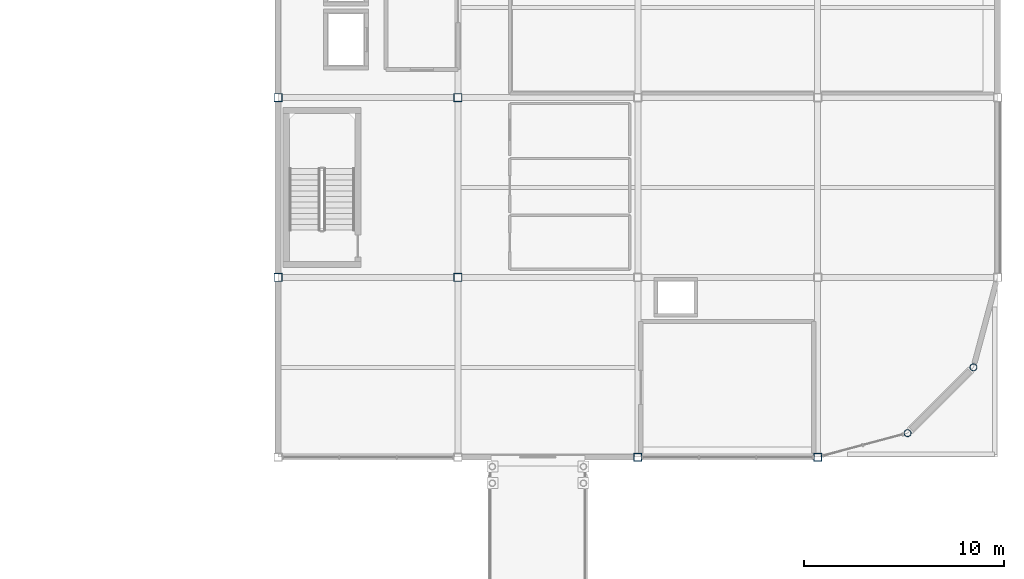
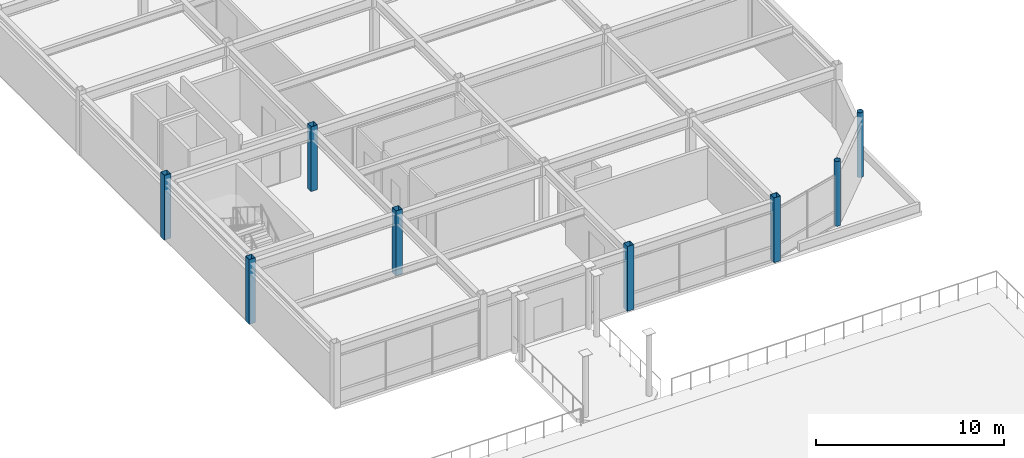
# One storey, part 12 of 53: 8 columns.
"""IFC4 building model written with IfcOpenShell, lengths in metres."""

from ifc_helpers import new_model, si_unit, direction, frame, origin, origin_2d, place, context, subcontext, project, spatial, hollow_rectangle, hollow_circle, extrude, material, material_profile, profile_set, type_object, element, save


model = new_model("IFC4")

# Units and contexts
model_context = context("Model", 3, precision=1e-05, world=origin(), true_north=direction((0.0, 1.0)))
body_context = subcontext(model_context, "Body", "Model", "MODEL_VIEW")
ifc_project = project(units=[si_unit("LENGTHUNIT", "METRE"), si_unit("AREAUNIT", "SQUARE_METRE"), si_unit("VOLUMEUNIT", "CUBIC_METRE"), si_unit("PLANEANGLEUNIT", "RADIAN"), si_unit("MASSUNIT", "GRAM", prefix="KILO")], contexts=[model_context])

# Site, building, storey
site_placement = place(None, origin())
site = spatial("IfcSite", under=ifc_project, at=site_placement, CompositionType="ELEMENT")
building_placement = place(site_placement, origin())
building = spatial("IfcBuilding", under=site, at=building_placement, Name="Suzunagisa Mobility Hub", CompositionType="ELEMENT")
storey_placement = place(building_placement, frame((0.0, 0.0, 17.699951171875)))
storey = spatial("IfcBuildingStorey", under=building, at=storey_placement, Name="L04", CompositionType="ELEMENT", Elevation=17.699951171875)

# Columns
ifc_material = material(Name="Steel SN490B", Category="steel")
ifc_material_profile_1 = material_profile(ifc_material, hollow_rectangle(XDim=0.39990234375, YDim=0.39990234375, WallThickness=0.01904296875, at=origin_2d()), Name="BCR-400x400x19")
ifc_profile_set_1 = profile_set([ifc_material_profile_1], Name="Steel SN490B")
column_type_1 = type_object("IfcColumnType", Name="Steel Column CL-13 BCR-400x400x19", PredefinedType="COLUMN", material=ifc_profile_set_1)
for number, where, z_axis, x_axis, name in (
    (1, (144.0, 53.0, 0.0), (0.0, 0.0, 1.0), (1.0, 0.0, 0.0), "L04 Column 257"),
    (2, (144.0, 62.0, 0.0), (0.0, 0.0, 1.0), (1.0, 0.0, 0.0), "L04 Column 258"),
    (3, (153.0, 53.0, 0.0), (0.0, 0.0, 1.0), (1.0, 0.0, 0.0), "L04 Column 270"),
    (4, (153.0, 62.0, 0.0), (0.0, 0.0, 1.0), (1.0, 0.0, 0.0), "L04 Column 271"),
    (5, (162.0, 44.0, 0.0), (0.0, 0.0, 1.0), (1.0, 0.0, 0.0), "L04 Column 288"),
    (6, (171.0, 44.0, 0.0), (0.0, 0.0, 1.0), (1.0, 0.0, 0.0), "L04 Column 301"),
):
    element("IfcColumn", number, at=place(storey_placement, frame(where, z_axis=z_axis, x_axis=x_axis)), inside=storey, type_object=column_type_1, Name=name, PredefinedType="COLUMN", context=body_context, shape_type="SweptSolid", body=[
        extrude(hollow_rectangle(XDim=0.39990234375, YDim=0.39990234375, WallThickness=0.01904296875, at=origin_2d()), origin(), (0.0, 0.0, 1.0), 4.199951171875),
    ])
ifc_material_profile_2 = material_profile(ifc_material, hollow_circle(Radius=0.177734375, WallThickness=0.0126953125, at=origin_2d()), Name="CHS-355.6x12.7")
ifc_profile_set_2 = profile_set([ifc_material_profile_2], Name="Steel SN490B")
column_type_2 = type_object("IfcColumnType", Name="Steel Column CL-18 CHS-355.6x12.7", PredefinedType="COLUMN", material=ifc_profile_set_2)
for number, where, z_axis, x_axis, name in (
    (7, (175.5, 45.205810546875, 0.0), (0.0, 0.0, 1.0), (1.0, 0.0, 0.0), "L04 Column 312"),
    (8, (178.794189453125, 48.5, 0.0), (0.0, 0.0, 1.0), (1.0, 0.0, 0.0), "L04 Column 318"),
):
    element("IfcColumn", number, at=place(storey_placement, frame(where, z_axis=z_axis, x_axis=x_axis)), inside=storey, type_object=column_type_2, Name=name, PredefinedType="COLUMN", context=body_context, shape_type="SweptSolid", body=[
        extrude(hollow_circle(Radius=0.177734375, WallThickness=0.0126953125, at=origin_2d()), origin(), (0.0, 0.0, 1.0), 4.199951171875),
    ])

save(model, "model.ifc")
